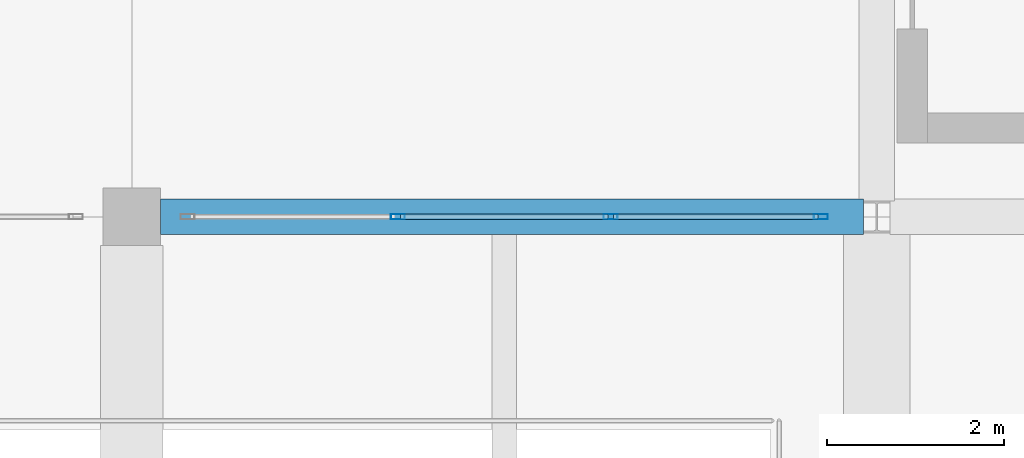
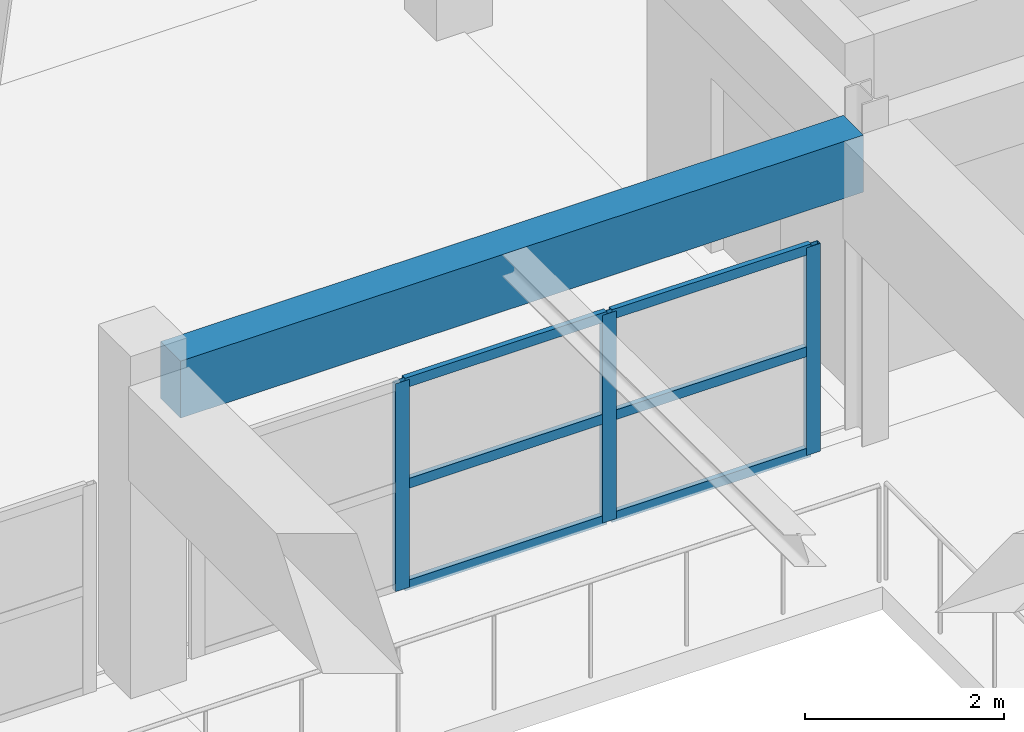
# One storey, part 29 of 71: 9 members, 1 beam, 1 element without a shape of its own.
"""IFC4 building model written with IfcOpenShell, lengths in metres."""

import ifcopenshell
import ifcopenshell.guid

model = None  # the IFC model being written
_history = None  # IfcOwnerHistory: only IFC2X3 demands one
_inside = {}  # id of a spatial element -> (the spatial element, [elements in it])
_under = {}  # id of a project, library or spatial element -> (it, [spatial elements below it])
_declared = {}  # id of a project -> (the project, [libraries it declares])
_typed = {}  # id of a type object -> (the type object, [elements of that type])
_made_of = {}  # id of a material, layer set ... -> (it, [elements and type objects made of it])


def new_model(schema):
    """Start an empty IFC model of exactly this schema.

    Asked for "IFC4X3", IfcOpenShell would pick the latest addendum, in which some entities
    have other attributes; the version numbers below select the first issue.
    IFC2X3 requires an IfcOwnerHistory on every rooted entity: one is made here for all.
    """
    global model, _history
    if schema == "IFC4X3":
        model = ifcopenshell.file(schema_version=(4, 3, 0, 0))
    else:
        model = ifcopenshell.file(schema=schema)
    _inside.clear()
    _under.clear()
    _declared.clear()
    _typed.clear()
    _made_of.clear()
    _history = None
    if model.schema == "IFC2X3":
        org = make("IfcOrganization", Name="unknown")
        user = make(
            "IfcPersonAndOrganization",
            ThePerson=make("IfcPerson", FamilyName="unknown"),
            TheOrganization=org,
        )
        app = make(
            "IfcApplication",
            ApplicationDeveloper=org,
            Version="unknown",
            ApplicationFullName="unknown",
            ApplicationIdentifier="unknown",
        )
        _history = make(
            "IfcOwnerHistory",
            OwningUser=user,
            OwningApplication=app,
            ChangeAction="ADDED",
            CreationDate=0,
        )
    return model


def make(cls, **values):
    """One entity of the class cls with the attributes given. An attribute that is None is left unset."""
    return model.create_entity(
        cls, **{name: value for name, value in values.items() if value is not None}
    )


def rooted(cls, **values):
    """An entity with a GlobalId (a new one), such as an element, a storey or a relation."""
    return make(cls, GlobalId=ifcopenshell.guid.new(), OwnerHistory=_history, **values)


def si_unit(unit_type, name, prefix=None):
    """IfcSIUnit, for example si_unit("LENGTHUNIT", "METRE", prefix="MILLI")."""
    return make("IfcSIUnit", UnitType=unit_type, Prefix=prefix, Name=name)


def assignment(units):
    """IfcUnitAssignment: the units of a project."""
    return None if units is None else make("IfcUnitAssignment", Units=units)


def point(xyz):
    """IfcCartesianPoint."""
    return None if xyz is None else make("IfcCartesianPoint", Coordinates=xyz)


def direction(xyz):
    """IfcDirection."""
    return None if xyz is None else make("IfcDirection", DirectionRatios=xyz)


def frame(location, z_axis=None, x_axis=None):
    """IfcAxis2Placement3D, a coordinate frame: its origin and axes. An axis left out is left unset."""
    return make(
        "IfcAxis2Placement3D",
        Location=point(location),
        Axis=direction(z_axis),
        RefDirection=direction(x_axis),
    )


def frame_2d(location, x_axis=None):
    """IfcAxis2Placement2D, a coordinate frame in the plane: its origin and x axis."""
    return make(
        "IfcAxis2Placement2D", Location=point(location), RefDirection=direction(x_axis)
    )


def origin():
    """The frame at (0, 0, 0) with its axes left unset."""
    return frame((0.0, 0.0, 0.0))


def origin_2d():
    """The frame at (0, 0) in the plane with its x axis left unset."""
    return frame_2d((0.0, 0.0))


def place(relative_to, where):
    """IfcLocalPlacement: puts the frame where relative to a parent placement (None: the world)."""
    return make(
        "IfcLocalPlacement", PlacementRelTo=relative_to, RelativePlacement=where
    )


def context(
    kind, dimensions, precision=None, world=None, true_north=None, identifier=None
):
    """IfcGeometricRepresentationContext, for example the 3D "Model" context."""
    return make(
        "IfcGeometricRepresentationContext",
        ContextIdentifier=identifier,
        ContextType=kind,
        CoordinateSpaceDimension=dimensions,
        Precision=precision,
        WorldCoordinateSystem=world,
        TrueNorth=true_north,
    )


def subcontext(parent, identifier, kind, view, scale=None):
    """IfcGeometricRepresentationSubContext, for example "Body" below "Model"."""
    return make(
        "IfcGeometricRepresentationSubContext",
        ContextIdentifier=identifier,
        ContextType=kind,
        ParentContext=parent,
        TargetScale=scale,
        TargetView=view,
    )


def project(units=None, contexts=None):
    """IfcProject with its units and contexts."""
    return rooted(
        "IfcProject",
        Name="project",
        RepresentationContexts=contexts,
        UnitsInContext=assignment(units),
    )


def spatial(cls, under=None, at=None, **own):
    """A site, building, storey or space (cls), placed at a placement, below another one or the project."""
    s = rooted(cls, ObjectPlacement=at, **own)
    if under is not None:
        _under.setdefault(under.id(), (under, []))[1].append(s)
    return s


def profile(cls, at=None, kind="AREA", **sizes):
    """A parametric profile (cls). Its sizes go by their IFC names, for example OverallWidth=200.0."""
    return make(cls, ProfileType=kind, Position=at, **sizes)


def rectangle(**sizes):
    """IfcRectangleProfileDef."""
    return profile("IfcRectangleProfileDef", **sizes)


def hollow_rectangle(**sizes):
    """IfcRectangleHollowProfileDef."""
    return profile("IfcRectangleHollowProfileDef", **sizes)


def extrude(swept, where, along, depth):
    """IfcExtrudedAreaSolid: the profile swept, set in the frame where, extruded along a direction by depth."""
    return make(
        "IfcExtrudedAreaSolid",
        SweptArea=swept,
        Position=where,
        ExtrudedDirection=direction(along),
        Depth=depth,
    )


def shape(context_of_items, identifier, shape_type, items):
    """IfcShapeRepresentation: the items that make up one representation, for example the "Body"."""
    return make(
        "IfcShapeRepresentation",
        ContextOfItems=context_of_items,
        RepresentationIdentifier=identifier,
        RepresentationType=shape_type,
        Items=items,
    )


def material(Name=None, Category=None):
    """IfcMaterial."""
    return make("IfcMaterial", Name=Name, Category=Category)


def material_profile(
    of_material, cross_section, Name=None, Category=None, Priority=None
):
    """IfcMaterialProfile: a cross section and its material."""
    return make(
        "IfcMaterialProfile",
        Name=Name,
        Material=of_material,
        Profile=cross_section,
        Priority=Priority,
        Category=Category,
    )


def profile_set(profiles, Name=None, composite=None):
    """IfcMaterialProfileSet."""
    return make(
        "IfcMaterialProfileSet",
        Name=Name,
        MaterialProfiles=profiles,
        CompositeProfile=composite,
    )


def made_of(thing, what):
    """Note that an element or type object is made of a material, layer set ...; save() writes the relation."""
    if what is not None:
        _made_of.setdefault(what.id(), (what, []))[1].append(thing)
    return thing


def type_object(cls, material=None, **own):
    """A type object (cls), such as IfcWallType, which elements share."""
    return made_of(rooted(cls, **own), material)


def element(
    cls,
    number,
    at=None,
    inside=None,
    cuts=None,
    type_object=None,
    material=None,
    context=None,
    identifier="Body",
    shape_type=None,
    held_by="IfcProductDefinitionShape",
    body=None,
    shapes=None,
    **own,
):
    """One element of the class cls, such as IfcWall. Its Tag is "e" and its number.

    at: its placement. inside: the storey or other place that contains it. cuts: it is an
    opening in that element (IfcRelVoidsElement). A single representation is given by context,
    identifier, shape_type and body (its items); several are given by shapes. held_by: the class
    of the entity that holds the representations. save() writes the other relations.
    """
    e = rooted(cls, Tag="e%d" % number, ObjectPlacement=at, **own)
    if body is not None:
        shapes = [shape(context, identifier, shape_type, body)]
    if shapes is not None:
        e.Representation = make(held_by, Representations=shapes)
    if inside is not None:
        _inside.setdefault(inside.id(), (inside, []))[1].append(e)
    if cuts is not None:
        rooted(
            "IfcRelVoidsElement", RelatingBuildingElement=cuts, RelatedOpeningElement=e
        )
    if type_object is not None:
        _typed.setdefault(type_object.id(), (type_object, []))[1].append(e)
    return made_of(e, material)


def aggregate(whole, parts):
    """IfcRelAggregates: a whole, such as a stair, and the parts it consists of."""
    return rooted("IfcRelAggregates", RelatingObject=whole, RelatedObjects=parts)


def save(model, path):
    """Write the relations noted so far, then the file.

    IfcRelAggregates (storeys below a building ...), IfcRelContainedInSpatialStructure (elements
    in a storey), IfcRelDefinesByType, IfcRelAssociatesMaterial and IfcRelDeclares: one each for
    every whole, place, type object, material and project.
    """
    for whole, parts in _under.values():
        aggregate(whole, parts)
    for where, things in _inside.values():
        rooted(
            "IfcRelContainedInSpatialStructure",
            RelatedElements=things,
            RelatingStructure=where,
        )
    for kind, things in _typed.values():
        rooted("IfcRelDefinesByType", RelatedObjects=things, RelatingType=kind)
    for what, things in _made_of.values():
        rooted("IfcRelAssociatesMaterial", RelatedObjects=things, RelatingMaterial=what)
    for by, libraries in _declared.values():
        rooted("IfcRelDeclares", RelatingContext=by, RelatedDefinitions=libraries)
    model.write(path)


model = new_model("IFC4")

# Units and contexts
model_context = context("Model", 3, precision=1e-05, world=origin(), true_north=direction((0.0, 1.0)))
body_context = subcontext(model_context, "Body", "Model", "MODEL_VIEW")
ifc_project = project(units=[si_unit("LENGTHUNIT", "METRE"), si_unit("AREAUNIT", "SQUARE_METRE"), si_unit("VOLUMEUNIT", "CUBIC_METRE"), si_unit("PLANEANGLEUNIT", "RADIAN"), si_unit("MASSUNIT", "GRAM", prefix="KILO")], contexts=[model_context])

# Site, building, storey
site_placement = place(None, origin())
site = spatial("IfcSite", under=ifc_project, at=site_placement, CompositionType="ELEMENT")
building_placement = place(site_placement, origin())
building = spatial("IfcBuilding", under=site, at=building_placement, Name="Korsvaeld Concert Hall", CompositionType="ELEMENT")
storey_placement = place(building_placement, frame((0.0, 0.0, 4.800048828125)))
storey = spatial("IfcBuildingStorey", under=building, at=storey_placement, Name="L01", CompositionType="ELEMENT", Elevation=4.800048828125)

# Beam
ifc_material_1 = material(Name="Concrete C35/45", Category="concrete")
ifc_material_profile_1 = material_profile(ifc_material_1, rectangle(XDim=0.39990234375, YDim=0.699951171875, at=origin_2d()), Name="RC 400x700")
ifc_profile_set_1 = profile_set([ifc_material_profile_1], Name="Concrete C35/45")
beam_type = type_object("IfcBeamType", Name="BM-RC-400x700", PredefinedType="T_BEAM", material=ifc_profile_set_1)
beam_placement = place(storey_placement, frame((101.125, 43.199951171875, 3.489990234375), z_axis=(1.0, 0.0, 0.0), x_axis=(0.0, 1.0, 0.0)))
element("IfcBeam", 1, at=beam_placement, inside=storey, type_object=beam_type, Name="Primary girder 14-15/G L01", PredefinedType="T_BEAM", context=body_context, shape_type="SweptSolid", body=[
    extrude(rectangle(XDim=0.39990234375, YDim=0.699951171875, at=origin_2d()), origin(), (0.0, 0.0, 1.0), 7.925048828125),
])

# Curtain wall, members
ifc_material_2 = material(Name="Anodised bronze and ceramic-fritted safety glass", Category="glass")
curtain_wall_type = type_object("IfcCurtainWallType", Name="CW-TYPE-14", PredefinedType="USERDEFINED", material=ifc_material_2)
curtain_wall_placement = place(storey_placement, origin())
curtain_wall = element("IfcCurtainWall", 2, at=curtain_wall_placement, inside=storey, type_object=curtain_wall_type, Name="Glazed foyer acoustic screen L01-30", ObjectType="CURTAIN WALL", PredefinedType="USERDEFINED")
ifc_material_3 = material(Name="Anodised architectural bronze aluminium", Category="aluminium")
ifc_material_profile_2 = material_profile(ifc_material_3, hollow_rectangle(XDim=0.06005859375, YDim=0.159912109375, WallThickness=0.00390625, at=origin_2d()), Name="CWM 160x60x4")
ifc_profile_set_2 = profile_set([ifc_material_profile_2], Name="Anodised architectural bronze aluminium")
member_type_1 = type_object("IfcMemberType", Name="CWM-ALUM-160x60", PredefinedType="MULLION", material=ifc_profile_set_2)
member_1_placement = place(storey_placement, frame((103.800048828125, 43.199951171875, 0.0), z_axis=(0.0, 0.0, 1.0), x_axis=(0.0, 1.0, 0.0)))
member_1 = element("IfcMember", 3, at=member_1_placement, type_object=member_type_1, Name="CW-14 mullion 2", PredefinedType="MULLION", context=body_context, shape_type="SweptSolid", body=[
    extrude(hollow_rectangle(XDim=0.06005859375, YDim=0.159912109375, WallThickness=0.00390625, at=origin_2d()), origin(), (0.0, 0.0, 1.0), 2.550048828125),
])
member_2_placement = place(storey_placement, frame((106.199951171875, 43.199951171875, 0.0), z_axis=(0.0, 0.0, 1.0), x_axis=(0.0, 1.0, 0.0)))
member_2 = element("IfcMember", 4, at=member_2_placement, type_object=member_type_1, Name="CW-14 mullion 3", PredefinedType="MULLION", context=body_context, shape_type="SweptSolid", body=[
    extrude(hollow_rectangle(XDim=0.06005859375, YDim=0.159912109375, WallThickness=0.00390625, at=origin_2d()), origin(), (0.0, 0.0, 1.0), 2.550048828125),
])
member_3_placement = place(storey_placement, frame((108.570068359375, 43.199951171875, 0.0), z_axis=(0.0, 0.0, 1.0), x_axis=(0.0, 1.0, 0.0)))
member_3 = element("IfcMember", 5, at=member_3_placement, type_object=member_type_1, Name="CW-14 mullion 4", PredefinedType="MULLION", context=body_context, shape_type="SweptSolid", body=[
    extrude(hollow_rectangle(XDim=0.06005859375, YDim=0.159912109375, WallThickness=0.00390625, at=origin_2d()), origin(), (0.0, 0.0, 1.0), 2.550048828125),
])
ifc_material_profile_3 = material_profile(ifc_material_3, hollow_rectangle(XDim=0.06005859375, YDim=0.1201171875, WallThickness=0.00390625, at=origin_2d()), Name="CWT 120x60x4")
ifc_profile_set_3 = profile_set([ifc_material_profile_3], Name="Anodised architectural bronze aluminium")
member_type_2 = type_object("IfcMemberType", Name="CWT-ALUM-120x60", PredefinedType="USERDEFINED", material=ifc_profile_set_3)
member_4_placement = place(storey_placement, frame((103.830078125, 43.199951171875, 0.030029296875), z_axis=(1.0, 0.0, 0.0), x_axis=(0.0, 1.0, 0.0)))
member_4 = element("IfcMember", 6, at=member_4_placement, type_object=member_type_2, Name="CW-14 transom 2.1", ObjectType="TRANSOM", PredefinedType="USERDEFINED", context=body_context, shape_type="SweptSolid", body=[
    extrude(hollow_rectangle(XDim=0.06005859375, YDim=0.1201171875, WallThickness=0.00390625, at=origin_2d()), origin(), (0.0, 0.0, 1.0), 2.33984375),
])
member_5_placement = place(storey_placement, frame((103.830078125, 43.199951171875, 1.27490234375), z_axis=(1.0, 0.0, 0.0), x_axis=(0.0, 1.0, 0.0)))
member_5 = element("IfcMember", 7, at=member_5_placement, type_object=member_type_2, Name="CW-14 transom 2.2", ObjectType="TRANSOM", PredefinedType="USERDEFINED", context=body_context, shape_type="SweptSolid", body=[
    extrude(hollow_rectangle(XDim=0.06005859375, YDim=0.1201171875, WallThickness=0.00390625, at=origin_2d()), origin(), (0.0, 0.0, 1.0), 2.33984375),
])
member_6_placement = place(storey_placement, frame((103.830078125, 43.199951171875, 2.52001953125), z_axis=(1.0, 0.0, 0.0), x_axis=(0.0, 1.0, 0.0)))
member_6 = element("IfcMember", 8, at=member_6_placement, type_object=member_type_2, Name="CW-14 transom 2.3", ObjectType="TRANSOM", PredefinedType="USERDEFINED", context=body_context, shape_type="SweptSolid", body=[
    extrude(hollow_rectangle(XDim=0.06005859375, YDim=0.1201171875, WallThickness=0.00390625, at=origin_2d()), origin(), (0.0, 0.0, 1.0), 2.33984375),
])
member_7_placement = place(storey_placement, frame((106.22998046875, 43.199951171875, 0.030029296875), z_axis=(1.0, 0.0, 0.0), x_axis=(0.0, 1.0, 0.0)))
member_7 = element("IfcMember", 9, at=member_7_placement, type_object=member_type_2, Name="CW-14 transom 3.1", ObjectType="TRANSOM", PredefinedType="USERDEFINED", context=body_context, shape_type="SweptSolid", body=[
    extrude(hollow_rectangle(XDim=0.06005859375, YDim=0.1201171875, WallThickness=0.00390625, at=origin_2d()), origin(), (0.0, 0.0, 1.0), 2.31005859375),
])
member_8_placement = place(storey_placement, frame((106.22998046875, 43.199951171875, 1.27490234375), z_axis=(1.0, 0.0, 0.0), x_axis=(0.0, 1.0, 0.0)))
member_8 = element("IfcMember", 10, at=member_8_placement, type_object=member_type_2, Name="CW-14 transom 3.2", ObjectType="TRANSOM", PredefinedType="USERDEFINED", context=body_context, shape_type="SweptSolid", body=[
    extrude(hollow_rectangle(XDim=0.06005859375, YDim=0.1201171875, WallThickness=0.00390625, at=origin_2d()), origin(), (0.0, 0.0, 1.0), 2.31005859375),
])
member_9_placement = place(storey_placement, frame((106.22998046875, 43.199951171875, 2.52001953125), z_axis=(1.0, 0.0, 0.0), x_axis=(0.0, 1.0, 0.0)))
member_9 = element("IfcMember", 11, at=member_9_placement, type_object=member_type_2, Name="CW-14 transom 3.3", ObjectType="TRANSOM", PredefinedType="USERDEFINED", context=body_context, shape_type="SweptSolid", body=[
    extrude(hollow_rectangle(XDim=0.06005859375, YDim=0.1201171875, WallThickness=0.00390625, at=origin_2d()), origin(), (0.0, 0.0, 1.0), 2.31005859375),
])
aggregate(curtain_wall, [member_1, member_2, member_3, member_4, member_5, member_6, member_7, member_8, member_9])

save(model, "model.ifc")
